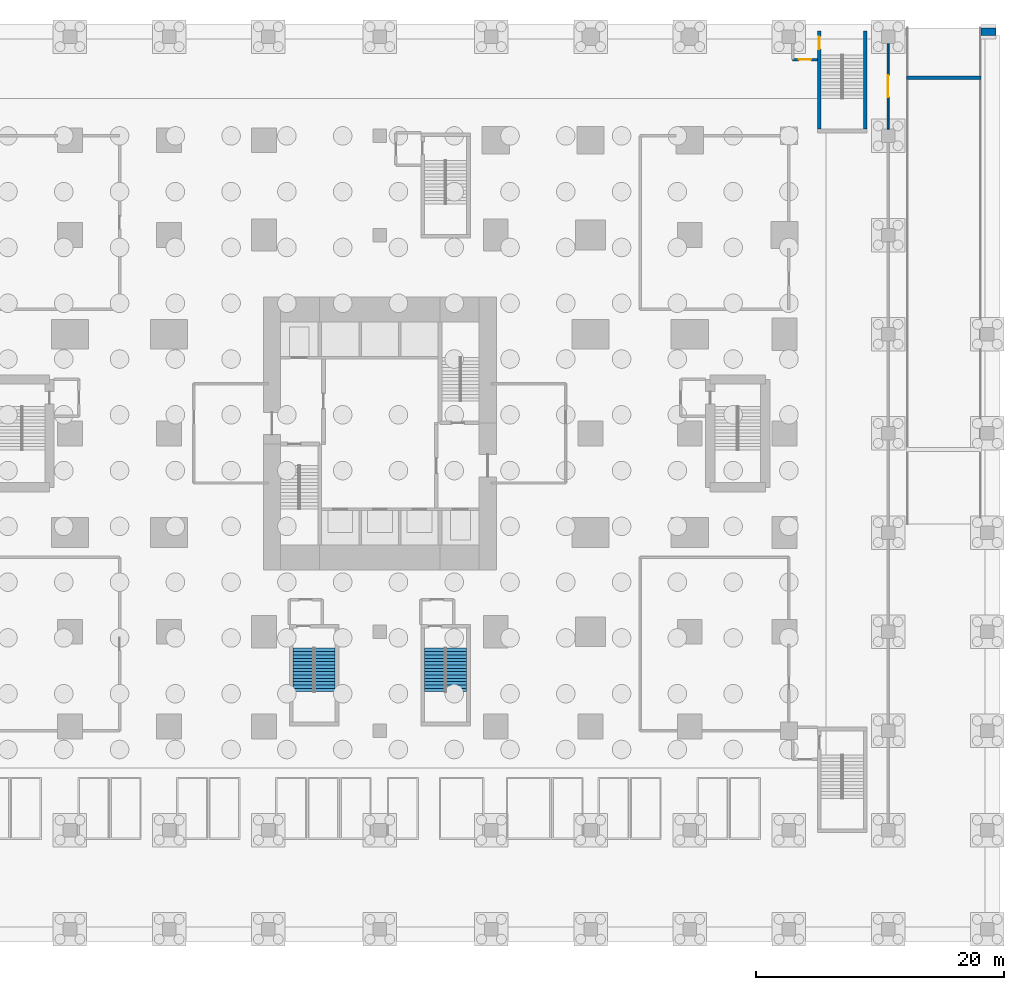
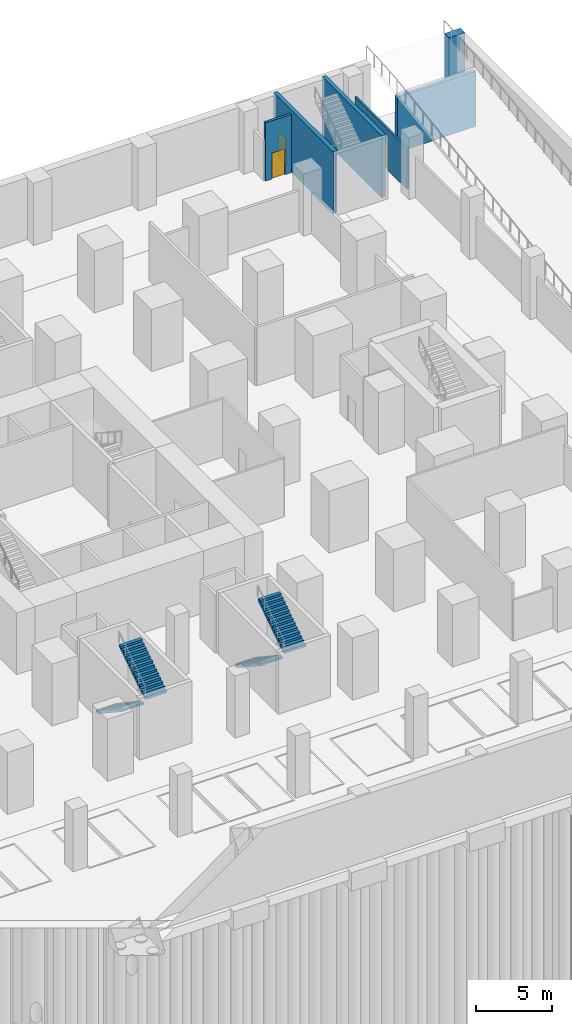
# One storey, part 12 of 17: 6 walls, 4 stair flights, 3 doors, 3 openings, 2 elements without a shape of their own.
"""IFC4 building model written with IfcOpenShell, lengths in metres."""

from ifc_helpers import new_model, si_unit, direction, frame, frame_2d, origin, place, context, subcontext, project, spatial, polyline, rectangle, outline, extrude, material, layer, layer_set, type_object, element, fill, aggregate, save


model = new_model("IFC4")

# Units and contexts
model_context = context("Model", 3, precision=1e-05, world=origin(), true_north=direction((0.0, 1.0)))
body_context = subcontext(model_context, "Body", "Model", "MODEL_VIEW")
ifc_project = project(units=[si_unit("LENGTHUNIT", "METRE"), si_unit("AREAUNIT", "SQUARE_METRE"), si_unit("VOLUMEUNIT", "CUBIC_METRE"), si_unit("PLANEANGLEUNIT", "RADIAN"), si_unit("MASSUNIT", "GRAM", prefix="KILO")], contexts=[model_context])

# Site, building, storey
site_placement = place(None, origin())
site = spatial("IfcSite", under=ifc_project, at=site_placement, CompositionType="ELEMENT")
building_placement = place(site_placement, origin())
building = spatial("IfcBuilding", under=site, at=building_placement, Name="Cleftline Residences", CompositionType="ELEMENT")
storey_placement = place(building_placement, frame((0.0, 0.0, -5.0)))
storey = spatial("IfcBuildingStorey", under=building, at=storey_placement, Name="L-01", CompositionType="ELEMENT", Elevation=-5.0)

# Wall, opening, door
ifc_material_1 = material(Name="Concrete blockwork, fire rated", Category="masonry")
ifc_layer_1 = layer(ifc_material_1, 0.199951171875)
ifc_layer_set_1 = layer_set([ifc_layer_1], Name="FIRE WALL 200")
wall_type_1 = type_object("IfcWallType", Name="FIRE WALL 200", PredefinedType="PARTITIONING", material=ifc_layer_set_1)
wall_1_placement = place(storey_placement, frame((66.300048828125, 54.14990234375, 0.0), z_axis=(0.0, 0.0, 1.0), x_axis=(1.0, 0.0, 0.0)))
wall_1 = element("IfcWall", 1, at=wall_1_placement, inside=storey, type_object=wall_type_1, Name="Fire separating wall", PredefinedType="PARTITIONING", context=body_context, shape_type="SweptSolid", body=[
    extrude(rectangle(XDim=2.0, YDim=0.199951171875, at=frame_2d((1.0, 0.0))), origin(), (0.0, 0.0, 1.0), 4.699951171875),
])
opening_1_placement = place(wall_1_placement, frame((0.5, 0.0, 0.0)))
opening_1 = element("IfcOpeningElement", 2, at=opening_1_placement, cuts=wall_1, Name="Opening D2F60", PredefinedType="OPENING", context=body_context, shape_type="SweptSolid", body=[
    extrude(rectangle(XDim=1.0, YDim=2.10009765625, at=frame_2d((0.5, 1.050048828125))), frame((0.0, 0.10986328125, 0.0), z_axis=(0.0, -1.0, 0.0), x_axis=(1.0, 0.0, 0.0)), (0.0, 0.0, 1.0), 0.219970703125),
])
ifc_material_2 = material(Name="Timber veneer on solid core", Category="wood")
door_type_1 = type_object("IfcDoorType", Name="DOOR 1000X2100 EI 60", OperationType="SINGLE_SWING_LEFT", PredefinedType="DOOR", material=ifc_material_2)
door_1_placement = place(opening_1_placement, origin())
door_1 = element("IfcDoor", 3, at=door_1_placement, inside=storey, type_object=door_type_1, Name="Door to stair ps-e lobby", OperationType="SINGLE_SWING_LEFT", OverallHeight=2.10009765625, OverallWidth=1.0, PredefinedType="DOOR", context=body_context, shape_type="SweptSolid", body=[
    extrude(rectangle(XDim=1.0, YDim=2.10009765625, at=frame_2d((0.5, 1.050048828125))), frame((0.0, 0.02490234375, 0.0), z_axis=(0.0, -1.0, 0.0), x_axis=(1.0, 0.0, 0.0)), (0.0, 0.0, 1.0), 0.050048828125),
])
fill(opening_1, door_1)

ifc_material_3 = material(Name="Gypsum board on steel studs", Category="steel")
ifc_layer_2 = layer(ifc_material_3, 0.14990234375)
ifc_layer_set_2 = layer_set([ifc_layer_2], Name="PARTITION 150")
wall_type_2 = type_object("IfcWallType", Name="PARTITION 150", PredefinedType="PARTITIONING", material=ifc_layer_set_2)
wall_2_placement = place(storey_placement, frame((74.0, 48.550048828125, 0.0), z_axis=(0.0, 0.0, 1.0), x_axis=(0.0, 1.0, 0.0)))
wall_2 = element("IfcWall", 4, at=wall_2_placement, inside=storey, type_object=wall_type_2, Name="Partition", PredefinedType="PARTITIONING", context=body_context, shape_type="SweptSolid", body=[
    extrude(rectangle(XDim=6.89990234375, YDim=0.14990234375, at=frame_2d((3.449951171875, 0.0))), origin(), (0.0, 0.0, 1.0), 3.300048828125),
])
opening_2_placement = place(wall_2_placement, frame((2.550048828125, 0.0, 0.0)))
opening_2 = element("IfcOpeningElement", 5, at=opening_2_placement, cuts=wall_2, Name="Opening D3", PredefinedType="OPENING", context=body_context, shape_type="SweptSolid", body=[
    extrude(rectangle(XDim=1.800048828125, YDim=2.10009765625, at=frame_2d((0.89990234375, 1.050048828125))), frame((0.0, 0.0849609375, 0.0), z_axis=(0.0, -1.0, 0.0), x_axis=(1.0, 0.0, 0.0)), (0.0, 0.0, 1.0), 0.169921875),
])
ifc_material_4 = material(Name="Timber veneer on solid core", Category="wood")
door_type_2 = type_object("IfcDoorType", Name="DOUBLE DOOR 1800X2100", OperationType="DOUBLE_DOOR_DOUBLE_SWING", PredefinedType="DOOR", material=ifc_material_4)
door_2_placement = place(opening_2_placement, origin())
door_2 = element("IfcDoor", 6, at=door_2_placement, inside=storey, type_object=door_type_2, Name="Door to car park ramp", OperationType="DOUBLE_DOOR_DOUBLE_SWING", OverallHeight=2.10009765625, OverallWidth=1.800048828125, PredefinedType="DOOR", context=body_context, shape_type="SweptSolid", body=[
    extrude(rectangle(XDim=1.800048828125, YDim=2.10009765625, at=frame_2d((0.89990234375, 1.050048828125))), frame((0.0, 0.02490234375, 0.0), z_axis=(0.0, -1.0, 0.0), x_axis=(1.0, 0.0, 0.0)), (0.0, 0.0, 1.0), 0.050048828125),
])
fill(opening_2, door_2)

# Walls
ifc_material_5 = material(Name="Concrete B45", Category="concrete")
ifc_layer_3 = layer(ifc_material_5, 0.300048828125)
ifc_layer_set_3 = layer_set([ifc_layer_3], Name="RAMP SUPPORT WALL 300")
wall_type_3 = type_object("IfcWallType", Name="RAMP SUPPORT WALL 300", PredefinedType="SOLIDWALL", material=ifc_layer_set_3)
wall_3_placement = place(storey_placement, frame((75.5, 52.699951171875, 0.0), z_axis=(0.0, 0.0, 1.0), x_axis=(1.0, 0.0, 0.0)))
element("IfcWall", 7, at=wall_3_placement, inside=storey, type_object=wall_type_3, Name="Car park ramp support wall", PredefinedType="SOLIDWALL", context=body_context, shape_type="SweptSolid", body=[
    extrude(rectangle(XDim=6.0, YDim=0.300048828125, at=frame_2d((3.0, 0.0))), origin(), (0.0, 0.0, 1.0), 4.4541015625),
])
ifc_material_6 = material(Name="Concrete B40", Category="concrete")
ifc_layer_4 = layer(ifc_material_6, 0.60009765625)
ifc_layer_set_4 = layer_set([ifc_layer_4], Name="RETAINING WALL 600")
wall_type_4 = type_object("IfcWallType", Name="RETAINING WALL 600", PredefinedType="USERDEFINED", material=ifc_layer_set_4)
wall_4_placement = place(storey_placement, frame((81.5, 56.39990234375, -0.39990234375), z_axis=(0.0, 0.0, 1.0), x_axis=(1.0, 0.0, 0.0)))
element("IfcWall", 8, at=wall_4_placement, inside=storey, type_object=wall_type_4, Name="Basement retaining wall", ObjectType="RETAINING WALL", PredefinedType="USERDEFINED", context=body_context, shape_type="SweptSolid", body=[
    extrude(rectangle(XDim=1.199951171875, YDim=0.60009765625, at=frame_2d((0.60009765625, 0.0))), origin(), (0.0, 0.0, 1.0), 5.39990234375),
])

# Wall, opening, door
ifc_material_7 = material(Name="Concrete blockwork, fire rated", Category="masonry")
ifc_layer_5 = layer(ifc_material_7, 0.300048828125)
ifc_layer_set_5 = layer_set([ifc_layer_5], Name="STAIR ENCLOSURE WALL 300")
wall_type_5 = type_object("IfcWallType", Name="STAIR ENCLOSURE WALL 300", PredefinedType="PARTITIONING", material=ifc_layer_set_5)
wall_5_placement = place(storey_placement, frame((68.449951171875, 48.550048828125, 0.0), z_axis=(0.0, 0.0, 1.0), x_axis=(0.0, 1.0, 0.0)))
wall_5 = element("IfcWall", 9, at=wall_5_placement, inside=storey, type_object=wall_type_5, Name="Stair PS-E enclosure", PredefinedType="PARTITIONING", context=body_context, shape_type="SweptSolid", body=[
    extrude(rectangle(XDim=7.89990234375, YDim=0.300048828125, at=frame_2d((3.949951171875, 0.0))), origin(), (0.0, 0.0, 1.0), 5.0),
])
opening_3_placement = place(wall_5_placement, frame((6.449951171875, 0.0, 0.0)))
opening_3 = element("IfcOpeningElement", 10, at=opening_3_placement, cuts=wall_5, Name="Opening D5", PredefinedType="OPENING", context=body_context, shape_type="SweptSolid", body=[
    extrude(rectangle(XDim=1.0, YDim=2.10009765625, at=frame_2d((0.5, 1.050048828125))), frame((0.0, 0.159912109375, 0.0), z_axis=(0.0, -1.0, 0.0), x_axis=(1.0, 0.0, 0.0)), (0.0, 0.0, 1.0), 0.320068359375),
])
ifc_material_8 = material(Name="Steel", Category="steel")
door_type_3 = type_object("IfcDoorType", Name="STAIR DOOR 1000X2100", OperationType="SINGLE_SWING_LEFT", PredefinedType="DOOR", material=ifc_material_8)
door_3_placement = place(opening_3_placement, origin())
door_3 = element("IfcDoor", 11, at=door_3_placement, inside=storey, type_object=door_type_3, Name="Stair PS-E door", OperationType="SINGLE_SWING_LEFT", OverallHeight=2.10009765625, OverallWidth=1.0, PredefinedType="DOOR", context=body_context, shape_type="SweptSolid", body=[
    extrude(rectangle(XDim=1.0, YDim=2.10009765625, at=frame_2d((0.5, 1.050048828125))), frame((0.0, 0.02490234375, 0.0), z_axis=(0.0, -1.0, 0.0), x_axis=(1.0, 0.0, 0.0)), (0.0, 0.0, 1.0), 0.050048828125),
])
fill(opening_3, door_3)

# Wall
wall_6_placement = place(storey_placement, frame((72.14990234375, 48.550048828125, 0.0), z_axis=(0.0, 0.0, 1.0), x_axis=(0.0, 1.0, 0.0)))
element("IfcWall", 12, at=wall_6_placement, inside=storey, type_object=wall_type_5, Name="Stair PS-E enclosure", PredefinedType="PARTITIONING", context=body_context, shape_type="SweptSolid", body=[
    extrude(rectangle(XDim=7.89990234375, YDim=0.300048828125, at=frame_2d((3.949951171875, 0.0))), origin(), (0.0, 0.0, 1.0), 5.0),
])

# Stair, stair flights
ifc_material_9 = material(Name="Concrete B45, stone treads", Category="masonry")
stair_type_1 = type_object("IfcStairType", Name="STAIR C 1630 WIDE 179 RISER", PredefinedType="HALF_TURN_STAIR", material=ifc_material_9)
stair_1_placement = place(storey_placement, origin())
stair_1 = element("IfcStair", 13, at=stair_1_placement, inside=storey, type_object=stair_type_1, Name="Stair C L-01", PredefinedType="HALF_TURN_STAIR")
ifc_material_10 = material(Name="Concrete B45", Category="concrete")
stair_flight_type_1 = type_object("IfcStairFlightType", Name="STAIR C FLIGHT 1630X179", PredefinedType="STRAIGHT", material=ifc_material_10)
stair_flight_1_placement = place(storey_placement, frame((26.81494140625, 6.669921875, 0.0), z_axis=(0.0, 0.0, 1.0), x_axis=(0.0, -1.0, 0.0)))
stair_flight_1 = element("IfcStairFlight", 14, at=stair_flight_1_placement, type_object=stair_flight_type_1, Name="ST-C flight 1", NumberOfRisers=14, NumberOfTreads=13, PredefinedType="STRAIGHT", RiserHeight=0.178571429, TreadLength=0.27, context=body_context, shape_type="SweptSolid", body=[
    extrude(outline(polyline([(0.0, 0.0), (0.0, 0.013671875), (0.0, 0.027587890625), (0.0, 0.041259765625), (0.0, 0.054931640625), (0.0, 0.068603515625), (0.0, 0.08251953125), (0.0, 0.09619140625), (0.0, 0.10986328125), (0.0, 0.12353515625), (0.0, 0.137451171875), (0.0, 0.151123046875), (0.0, 0.164794921875), (0.0, 0.178466796875), (0.27001953125, 0.178466796875), (0.27001953125, 0.357177734375), (0.5400390625, 0.357177734375), (0.5400390625, 0.53564453125), (0.81005859375, 0.53564453125), (0.81005859375, 0.71435546875), (1.080078125, 0.71435546875), (1.080078125, 0.892822265625), (1.35009765625, 0.892822265625), (1.35009765625, 1.071533203125), (1.6201171875, 1.071533203125), (1.6201171875, 1.25), (1.889892578125, 1.25), (1.889892578125, 1.428466796875), (2.159912109375, 1.428466796875), (2.159912109375, 1.607177734375), (2.429931640625, 1.607177734375), (2.429931640625, 1.78564453125), (2.699951171875, 1.78564453125), (2.699951171875, 1.96435546875), (2.969970703125, 1.96435546875), (2.969970703125, 2.142822265625), (3.239990234375, 2.142822265625), (3.239990234375, 2.321533203125), (3.510009765625, 2.321533203125), (3.510009765625, 2.5), (3.510009765625, 2.472412109375), (3.510009765625, 2.44482421875), (3.510009765625, 2.417236328125), (3.510009765625, 2.3896484375), (3.510009765625, 2.3623046875), (3.510009765625, 2.334716796875), (3.510009765625, 2.30712890625), (3.510009765625, 2.279541015625), (3.510009765625, 2.251953125), (3.510009765625, 2.224365234375), (3.510009765625, 2.19677734375), (3.510009765625, 2.169189453125), (3.510009765625, 2.1416015625), (0.271728515625, 0.0), (0.0, 0.0)])), frame((0.0, 0.81494140625, 0.0), z_axis=(0.0, -1.0, 0.0), x_axis=(1.0, 0.0, 0.0)), (0.0, 0.0, 1.0), 1.6298828125),
])
stair_flight_2_placement = place(storey_placement, frame((28.5849609375, 3.159912109375, 2.5), z_axis=(0.0, 0.0, 1.0), x_axis=(0.0, 1.0, 0.0)))
stair_flight_2 = element("IfcStairFlight", 15, at=stair_flight_2_placement, type_object=stair_flight_type_1, Name="ST-C flight 2", NumberOfRisers=14, NumberOfTreads=13, PredefinedType="STRAIGHT", RiserHeight=0.178571429, TreadLength=0.27, context=body_context, shape_type="SweptSolid", body=[
    extrude(outline(polyline([(0.0, 0.0), (0.0, 0.013671875), (0.0, 0.027587890625), (0.0, 0.041259765625), (0.0, 0.054931640625), (0.0, 0.068603515625), (0.0, 0.08251953125), (0.0, 0.09619140625), (0.0, 0.10986328125), (0.0, 0.12353515625), (0.0, 0.137451171875), (0.0, 0.151123046875), (0.0, 0.164794921875), (0.0, 0.178466796875), (0.27001953125, 0.178466796875), (0.27001953125, 0.357177734375), (0.5400390625, 0.357177734375), (0.5400390625, 0.53564453125), (0.81005859375, 0.53564453125), (0.81005859375, 0.71435546875), (1.080078125, 0.71435546875), (1.080078125, 0.892822265625), (1.35009765625, 0.892822265625), (1.35009765625, 1.071533203125), (1.6201171875, 1.071533203125), (1.6201171875, 1.25), (1.889892578125, 1.25), (1.889892578125, 1.428466796875), (2.159912109375, 1.428466796875), (2.159912109375, 1.607177734375), (2.429931640625, 1.607177734375), (2.429931640625, 1.78564453125), (2.699951171875, 1.78564453125), (2.699951171875, 1.96435546875), (2.969970703125, 1.96435546875), (2.969970703125, 2.142822265625), (3.239990234375, 2.142822265625), (3.239990234375, 2.321533203125), (3.510009765625, 2.321533203125), (3.510009765625, 2.5), (3.510009765625, 2.472412109375), (3.510009765625, 2.44482421875), (3.510009765625, 2.417236328125), (3.510009765625, 2.3896484375), (3.510009765625, 2.3623046875), (3.510009765625, 2.334716796875), (3.510009765625, 2.30712890625), (3.510009765625, 2.279541015625), (3.510009765625, 2.251953125), (3.510009765625, 2.224365234375), (3.510009765625, 2.19677734375), (3.510009765625, 2.169189453125), (3.510009765625, 2.1416015625), (0.271728515625, 0.0), (0.0, 0.0)])), frame((0.0, 0.81494140625, 0.0), z_axis=(0.0, -1.0, 0.0), x_axis=(1.0, 0.0, 0.0)), (0.0, 0.0, 1.0), 1.6298828125),
])
aggregate(stair_1, [stair_flight_1, stair_flight_2])

ifc_material_11 = material(Name="Concrete B45, stone treads", Category="masonry")
stair_type_2 = type_object("IfcStairType", Name="STAIR C2 1630 WIDE 179 RISER", PredefinedType="HALF_TURN_STAIR", material=ifc_material_11)
stair_2_placement = place(storey_placement, origin())
stair_2 = element("IfcStair", 16, at=stair_2_placement, inside=storey, type_object=stair_type_2, Name="Stair C2 L-01", PredefinedType="HALF_TURN_STAIR")
ifc_material_12 = material(Name="Concrete B45", Category="concrete")
stair_flight_type_2 = type_object("IfcStairFlightType", Name="STAIR C2 FLIGHT 1630X179", PredefinedType="STRAIGHT", material=ifc_material_12)
stair_flight_3_placement = place(storey_placement, frame((37.4150390625, 6.669921875, 0.0), z_axis=(0.0, 0.0, 1.0), x_axis=(0.0, -1.0, 0.0)))
stair_flight_3 = element("IfcStairFlight", 17, at=stair_flight_3_placement, type_object=stair_flight_type_2, Name="ST-C2 flight 1", NumberOfRisers=14, NumberOfTreads=13, PredefinedType="STRAIGHT", RiserHeight=0.178571429, TreadLength=0.27, context=body_context, shape_type="SweptSolid", body=[
    extrude(outline(polyline([(0.0, 0.0), (0.0, 0.013671875), (0.0, 0.027587890625), (0.0, 0.041259765625), (0.0, 0.054931640625), (0.0, 0.068603515625), (0.0, 0.08251953125), (0.0, 0.09619140625), (0.0, 0.10986328125), (0.0, 0.12353515625), (0.0, 0.137451171875), (0.0, 0.151123046875), (0.0, 0.164794921875), (0.0, 0.178466796875), (0.27001953125, 0.178466796875), (0.27001953125, 0.357177734375), (0.5400390625, 0.357177734375), (0.5400390625, 0.53564453125), (0.81005859375, 0.53564453125), (0.81005859375, 0.71435546875), (1.080078125, 0.71435546875), (1.080078125, 0.892822265625), (1.35009765625, 0.892822265625), (1.35009765625, 1.071533203125), (1.6201171875, 1.071533203125), (1.6201171875, 1.25), (1.889892578125, 1.25), (1.889892578125, 1.428466796875), (2.159912109375, 1.428466796875), (2.159912109375, 1.607177734375), (2.429931640625, 1.607177734375), (2.429931640625, 1.78564453125), (2.699951171875, 1.78564453125), (2.699951171875, 1.96435546875), (2.969970703125, 1.96435546875), (2.969970703125, 2.142822265625), (3.239990234375, 2.142822265625), (3.239990234375, 2.321533203125), (3.510009765625, 2.321533203125), (3.510009765625, 2.5), (3.510009765625, 2.472412109375), (3.510009765625, 2.44482421875), (3.510009765625, 2.417236328125), (3.510009765625, 2.3896484375), (3.510009765625, 2.3623046875), (3.510009765625, 2.334716796875), (3.510009765625, 2.30712890625), (3.510009765625, 2.279541015625), (3.510009765625, 2.251953125), (3.510009765625, 2.224365234375), (3.510009765625, 2.19677734375), (3.510009765625, 2.169189453125), (3.510009765625, 2.1416015625), (0.271728515625, 0.0), (0.0, 0.0)])), frame((0.0, 0.81494140625, 0.0), z_axis=(0.0, -1.0, 0.0), x_axis=(1.0, 0.0, 0.0)), (0.0, 0.0, 1.0), 1.6298828125),
])
stair_flight_4_placement = place(storey_placement, frame((39.18505859375, 3.159912109375, 2.5), z_axis=(0.0, 0.0, 1.0), x_axis=(0.0, 1.0, 0.0)))
stair_flight_4 = element("IfcStairFlight", 18, at=stair_flight_4_placement, type_object=stair_flight_type_2, Name="ST-C2 flight 2", NumberOfRisers=14, NumberOfTreads=13, PredefinedType="STRAIGHT", RiserHeight=0.178571429, TreadLength=0.27, context=body_context, shape_type="SweptSolid", body=[
    extrude(outline(polyline([(0.0, 0.0), (0.0, 0.013671875), (0.0, 0.027587890625), (0.0, 0.041259765625), (0.0, 0.054931640625), (0.0, 0.068603515625), (0.0, 0.08251953125), (0.0, 0.09619140625), (0.0, 0.10986328125), (0.0, 0.12353515625), (0.0, 0.137451171875), (0.0, 0.151123046875), (0.0, 0.164794921875), (0.0, 0.178466796875), (0.27001953125, 0.178466796875), (0.27001953125, 0.357177734375), (0.5400390625, 0.357177734375), (0.5400390625, 0.53564453125), (0.81005859375, 0.53564453125), (0.81005859375, 0.71435546875), (1.080078125, 0.71435546875), (1.080078125, 0.892822265625), (1.35009765625, 0.892822265625), (1.35009765625, 1.071533203125), (1.6201171875, 1.071533203125), (1.6201171875, 1.25), (1.889892578125, 1.25), (1.889892578125, 1.428466796875), (2.159912109375, 1.428466796875), (2.159912109375, 1.607177734375), (2.429931640625, 1.607177734375), (2.429931640625, 1.78564453125), (2.699951171875, 1.78564453125), (2.699951171875, 1.96435546875), (2.969970703125, 1.96435546875), (2.969970703125, 2.142822265625), (3.239990234375, 2.142822265625), (3.239990234375, 2.321533203125), (3.510009765625, 2.321533203125), (3.510009765625, 2.5), (3.510009765625, 2.472412109375), (3.510009765625, 2.44482421875), (3.510009765625, 2.417236328125), (3.510009765625, 2.3896484375), (3.510009765625, 2.3623046875), (3.510009765625, 2.334716796875), (3.510009765625, 2.30712890625), (3.510009765625, 2.279541015625), (3.510009765625, 2.251953125), (3.510009765625, 2.224365234375), (3.510009765625, 2.19677734375), (3.510009765625, 2.169189453125), (3.510009765625, 2.1416015625), (0.271728515625, 0.0), (0.0, 0.0)])), frame((0.0, 0.81494140625, 0.0), z_axis=(0.0, -1.0, 0.0), x_axis=(1.0, 0.0, 0.0)), (0.0, 0.0, 1.0), 1.6298828125),
])
aggregate(stair_2, [stair_flight_3, stair_flight_4])

save(model, "model.ifc")
